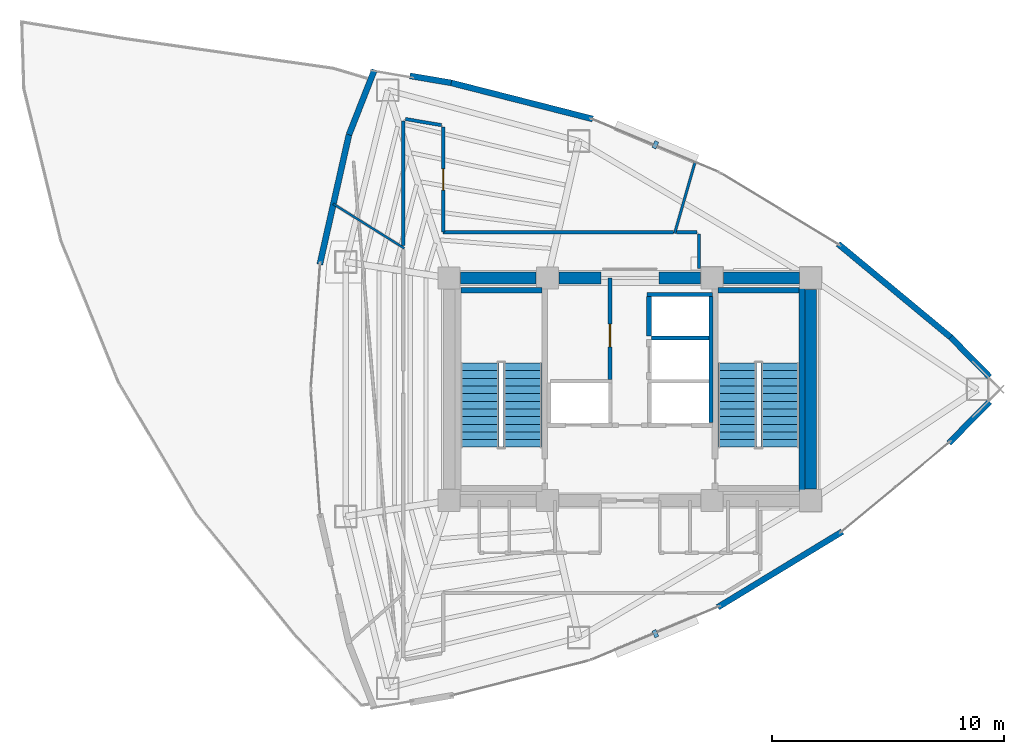
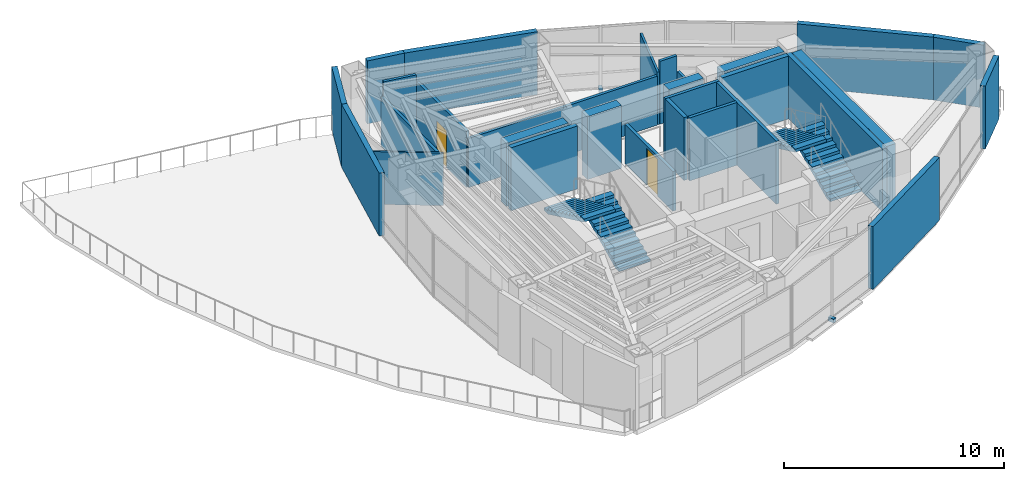
# One storey, part 14 of 17: 29 walls, 4 stair flights, 2 discrete accessories, 2 doors, 2 openings, 2 elements without a shape of their own.
"""IFC4 building model written with IfcOpenShell, lengths in metres."""

from ifc_helpers import new_model, si_unit, direction, frame, frame_2d, origin, origin_2d, place, context, subcontext, project, spatial, polyline, rectangle, outline, extrude, material, layer, layer_set, type_object, element, fill, aggregate, save


model = new_model("IFC4")

# Units and contexts
model_context = context("Model", 3, precision=1e-05, world=origin(), true_north=direction((0.0, 1.0)))
body_context = subcontext(model_context, "Body", "Model", "MODEL_VIEW")
ifc_project = project(units=[si_unit("LENGTHUNIT", "METRE"), si_unit("AREAUNIT", "SQUARE_METRE"), si_unit("VOLUMEUNIT", "CUBIC_METRE"), si_unit("PLANEANGLEUNIT", "RADIAN"), si_unit("MASSUNIT", "GRAM", prefix="KILO")], contexts=[model_context])

# Site, building, storey
site_placement = place(None, origin())
site = spatial("IfcSite", under=ifc_project, at=site_placement, CompositionType="ELEMENT")
building_placement = place(site_placement, origin())
building = spatial("IfcBuilding", under=site, at=building_placement, Name="Menara Vayukalpa", CompositionType="ELEMENT")
storey_placement = place(building_placement, frame((0.0, 0.0, 206.39990234375)))
storey = spatial("IfcBuildingStorey", under=building, at=storey_placement, Name="L52", CompositionType="ELEMENT", Elevation=206.39990234375)

# Walls
ifc_material_1 = material(Name="Concrete C60/75", Category="concrete")
ifc_layer_1 = layer(ifc_material_1, 0.5)
ifc_layer_set_1 = layer_set([ifc_layer_1], Name="Concrete C60/75")
wall_type_1 = type_object("IfcWallType", Name="WAL-CW500", PredefinedType="SHEAR", material=ifc_layer_set_1)
wall_1_placement = place(storey_placement, frame((18.294921875, 26.800048828125, 0.0), z_axis=(0.0, 0.0, 1.0), x_axis=(1.0, 0.0, 0.0)))
element("IfcWall", 1, at=wall_1_placement, inside=storey, type_object=wall_type_1, Name="L52 Buttressed Core Shear Wall CWN1", PredefinedType="SHEAR", context=body_context, shape_type="SweptSolid", body=[
    extrude(rectangle(XDim=3.260009765625, YDim=0.5, at=frame_2d((1.6298828125, 0.0))), origin(), (0.0, 0.0, 1.0), 3.5),
])
wall_2_placement = place(storey_placement, frame((22.544921875, 26.800048828125, 0.0), z_axis=(0.0, 0.0, 1.0), x_axis=(1.0, 0.0, 0.0)))
element("IfcWall", 2, at=wall_2_placement, inside=storey, type_object=wall_type_1, Name="L52 Buttressed Core Shear Wall CWN2", PredefinedType="SHEAR", context=body_context, shape_type="SweptSolid", body=[
    extrude(rectangle(XDim=1.80517578125, YDim=0.5, at=frame_2d((0.902587890625, 0.0))), origin(), (0.0, 0.0, 1.0), 3.5),
])
wall_3_placement = place(storey_placement, frame((26.85009765625, 26.800048828125, 0.0), z_axis=(0.0, 0.0, 1.0), x_axis=(1.0, 0.0, 0.0)))
element("IfcWall", 3, at=wall_3_placement, inside=storey, type_object=wall_type_1, Name="L52 Buttressed Core Shear Wall CWN3", PredefinedType="SHEAR", context=body_context, shape_type="SweptSolid", body=[
    extrude(rectangle(XDim=1.804931640625, YDim=0.5, at=frame_2d((0.90234375, 0.0))), origin(), (0.0, 0.0, 1.0), 3.5),
])
wall_4_placement = place(storey_placement, frame((29.64501953125, 26.800048828125, 0.0), z_axis=(0.0, 0.0, 1.0), x_axis=(1.0, 0.0, 0.0)))
element("IfcWall", 4, at=wall_4_placement, inside=storey, type_object=wall_type_1, Name="L52 Buttressed Core Shear Wall CWN4", PredefinedType="SHEAR", context=body_context, shape_type="SweptSolid", body=[
    extrude(rectangle(XDim=3.260009765625, YDim=0.5, at=frame_2d((1.6298828125, 0.0))), origin(), (0.0, 0.0, 1.0), 3.5),
])
wall_5_placement = place(storey_placement, frame((33.39990234375, 17.695068359375, 0.0), z_axis=(0.0, 0.0, 1.0), x_axis=(0.0, 1.0, 0.0)))
element("IfcWall", 5, at=wall_5_placement, inside=storey, type_object=wall_type_1, Name="L52 Buttressed Core Shear Wall CWE1", PredefinedType="SHEAR", context=body_context, shape_type="SweptSolid", body=[
    extrude(rectangle(XDim=8.60986328125, YDim=0.5, at=frame_2d((4.304931640625, 0.0))), origin(), (0.0, 0.0, 1.0), 3.5),
])
ifc_material_2 = material(Name="Insulated Precast Concrete C40/50", Category="concrete")
ifc_layer_2 = layer(ifc_material_2, 0.260009765625)
ifc_layer_set_2 = layer_set([ifc_layer_2], Name="Insulated Precast Concrete C40/50")
wall_type_2 = type_object("IfcWallType", Name="WAL-EXT260", PredefinedType="PARTITIONING", material=ifc_layer_set_2)
wall_6_placement = place(storey_placement, frame((41.11669921875, 21.466552734375, 0.0), z_axis=(0.0, 0.0, 1.0), x_axis=(-0.700594592225, -0.713559540154, 0.0)))
element("IfcWall", 6, at=wall_6_placement, inside=storey, type_object=wall_type_2, Name="L52 Perimeter Terracotta Pier Wall 01", PredefinedType="PARTITIONING", context=body_context, shape_type="SweptSolid", body=[
    extrude(rectangle(XDim=2.50439453125, YDim=0.260009765625, at=frame_2d((1.252197265625, 0.0))), origin(), (0.0, 0.0, 1.0), 3.5),
])
wall_7_placement = place(storey_placement, frame((39.43505859375, 24.246337890625, 0.0), z_axis=(0.0, 0.0, 1.0), x_axis=(0.700567481584, -0.7135861572, 0.0)))
element("IfcWall", 7, at=wall_7_placement, inside=storey, type_object=wall_type_2, Name="L52 Perimeter Terracotta Pier Wall 02", PredefinedType="PARTITIONING", context=body_context, shape_type="SweptSolid", body=[
    extrude(rectangle(XDim=2.400390625, YDim=0.260009765625, at=frame_2d((1.2001953125, 0.0))), origin(), (0.0, 0.0, 1.0), 3.5),
])
wall_8_placement = place(storey_placement, frame((34.58251953125, 28.26953125, 0.0), z_axis=(0.0, 0.0, 1.0), x_axis=(0.769765373155, -0.638326930571, 0.0)))
element("IfcWall", 8, at=wall_8_placement, inside=storey, type_object=wall_type_2, Name="L52 Perimeter Terracotta Pier Wall 03", PredefinedType="PARTITIONING", context=body_context, shape_type="SweptSolid", body=[
    extrude(rectangle(XDim=6.3154296875, YDim=0.260009765625, at=frame_2d((3.15771484375, 0.0))), origin(), (0.0, 0.0, 1.0), 3.5),
])
wall_9_placement = place(storey_placement, frame((17.8759765625, 35.22216796875, 0.0), z_axis=(0.0, 0.0, 1.0), x_axis=(0.968976240439, -0.247153890246, 0.0)))
element("IfcWall", 9, at=wall_9_placement, inside=storey, type_object=wall_type_2, Name="L52 Perimeter Terracotta Pier Wall 06", PredefinedType="PARTITIONING", context=body_context, shape_type="SweptSolid", body=[
    extrude(rectangle(XDim=6.31494140625, YDim=0.260009765625, at=frame_2d((3.157470703125, 0.0))), origin(), (0.0, 0.0, 1.0), 3.5),
])
wall_10_placement = place(storey_placement, frame((16.10693359375, 35.52197265625, 0.0), z_axis=(0.0, 0.0, 1.0), x_axis=(0.985877723898, -0.167466753484, 0.0)))
element("IfcWall", 10, at=wall_10_placement, inside=storey, type_object=wall_type_2, Name="L52 Perimeter Terracotta Pier Wall 07", PredefinedType="PARTITIONING", context=body_context, shape_type="SweptSolid", body=[
    extrude(rectangle(XDim=1.80615234375, YDim=0.260009765625, at=frame_2d((0.903076171875, 0.0))), origin(), (0.0, 0.0, 1.0), 3.5),
])
wall_11_placement = place(storey_placement, frame((13.47900390625, 32.978515625, 0.0), z_axis=(0.0, 0.0, 1.0), x_axis=(0.365609724313, 0.930768246927, 0.0)))
element("IfcWall", 11, at=wall_11_placement, inside=storey, type_object=wall_type_2, Name="L52 Perimeter Terracotta Pier Wall 08", PredefinedType="PARTITIONING", context=body_context, shape_type="SweptSolid", body=[
    extrude(rectangle(XDim=3.010986328125, YDim=0.260009765625, at=frame_2d((1.50537109375, 0.0))), origin(), (0.0, 0.0, 1.0), 3.5),
])
wall_12_placement = place(storey_placement, frame((12.219970703125, 27.3818359375, 0.0), z_axis=(0.0, 0.0, 1.0), x_axis=(0.219475737697, 0.975617958303, 0.0)))
element("IfcWall", 12, at=wall_12_placement, inside=storey, type_object=wall_type_2, Name="L52 Perimeter Terracotta Pier Wall 09", PredefinedType="PARTITIONING", context=body_context, shape_type="SweptSolid", body=[
    extrude(rectangle(XDim=5.736572265625, YDim=0.260009765625, at=frame_2d((2.8681640625, 0.0))), origin(), (0.0, 0.0, 1.0), 3.5),
])
wall_13_placement = place(storey_placement, frame((34.76123046875, 15.85791015625, 0.0), z_axis=(0.0, 0.0, 1.0), x_axis=(-0.854645314226, -0.519212275348, 0.0)))
element("IfcWall", 13, at=wall_13_placement, inside=storey, type_object=wall_type_2, Name="L52 Perimeter Terracotta Pier Wall 18", PredefinedType="PARTITIONING", context=body_context, shape_type="SweptSolid", body=[
    extrude(rectangle(XDim=6.284912109375, YDim=0.260009765625, at=frame_2d((3.142578125, 0.0))), origin(), (0.0, 0.0, 1.0), 3.5),
])
ifc_material_3 = material(Name="Lightweight Concrete Blockwork C16/20", Category="masonry")
ifc_layer_3 = layer(ifc_material_3, 0.159912109375)
ifc_layer_set_3 = layer_set([ifc_layer_3], Name="Lightweight Concrete Blockwork C16/20")
wall_type_3 = type_object("IfcWallType", Name="WAL-FR150", PredefinedType="PARTITIONING", material=ifc_layer_set_3)
wall_14_placement = place(storey_placement, frame((29.094970703125, 20.56005859375, 0.0), z_axis=(0.0, 0.0, 1.0), x_axis=(0.0, 1.0, 0.0)))
element("IfcWall", 14, at=wall_14_placement, inside=storey, type_object=wall_type_3, Name="L52 Interior Partition IW-L52-SHW-EE", PredefinedType="PARTITIONING", context=body_context, shape_type="SweptSolid", body=[
    extrude(rectangle(XDim=5.449951171875, YDim=0.159912109375, at=frame_2d((2.72509765625, 0.0))), origin(), (0.0, 0.0, 1.0), 3.5),
])
wall_15_placement = place(storey_placement, frame((26.530029296875, 24.215087890625, 0.0), z_axis=(0.0, 0.0, 1.0), x_axis=(1.0, 0.0, 0.0)))
element("IfcWall", 15, at=wall_15_placement, inside=storey, type_object=wall_type_3, Name="L52 Interior Partition IW-L52-SHM-E32", PredefinedType="PARTITIONING", context=body_context, shape_type="SweptSolid", body=[
    extrude(rectangle(XDim=2.489990234375, YDim=0.159912109375, at=frame_2d((1.2451171875, 0.0))), origin(), (0.0, 0.0, 1.0), 3.5),
])
wall_16_placement = place(storey_placement, frame((26.340087890625, 26.0849609375, 0.0), z_axis=(0.0, 0.0, 1.0), x_axis=(1.0, 0.0, 0.0)))
element("IfcWall", 16, at=wall_16_placement, inside=storey, type_object=wall_type_3, Name="L52 Interior Partition IW-L52-SHM-E2N", PredefinedType="PARTITIONING", context=body_context, shape_type="SweptSolid", body=[
    extrude(rectangle(XDim=2.829833984375, YDim=0.159912109375, at=frame_2d((1.4150390625, 0.0))), origin(), (0.0, 0.0, 1.0), 3.5),
])

# Wall, opening, door
wall_17_placement = place(storey_placement, frame((24.739990234375, 22.429931640625, 0.0), z_axis=(0.0, 0.0, 1.0), x_axis=(0.0, 1.0, 0.0)))
wall_17 = element("IfcWall", 17, at=wall_17_placement, inside=storey, type_object=wall_type_3, Name="L52 Interior Partition IW-L52-LV7W", PredefinedType="PARTITIONING", context=body_context, shape_type="SweptSolid", body=[
    extrude(rectangle(XDim=4.3701171875, YDim=0.159912109375, at=frame_2d((2.18505859375, 0.0))), origin(), (0.0, 0.0, 1.0), 2.210205078125),
])
opening_1_placement = place(wall_17_placement, frame((1.39990234375, 0.0, 0.0)))
opening_1 = element("IfcOpeningElement", 18, at=opening_1_placement, cuts=wall_17, Name="Opening ID3", PredefinedType="OPENING", context=body_context, shape_type="SweptSolid", body=[
    extrude(rectangle(XDim=0.97998046875, YDim=2.06005859375, at=frame_2d((0.489990234375, 1.030029296875))), frame((0.0, 0.08984375, 0.0), z_axis=(0.0, -1.0, 0.0), x_axis=(1.0, 0.0, 0.0)), (0.0, 0.0, 1.0), 0.179931640625),
])
ifc_material_4 = material(Name="Fire-Rated Powder-Coated Steel Door", Category="steel")
door_type_1 = type_object("IfcDoorType", Name="DR-FD60", OperationType="NOTDEFINED", PredefinedType="DOOR", material=ifc_material_4)
door_1_placement = place(opening_1_placement, origin())
door_1 = element("IfcDoor", 19, at=door_1_placement, inside=storey, type_object=door_type_1, Name="L52 Interior Door DR-L52-LV7W", OperationType="SINGLE_SWING_LEFT", OverallHeight=2.06005859375, OverallWidth=0.97998046875, PredefinedType="DOOR", context=body_context, shape_type="SweptSolid", body=[
    extrude(rectangle(XDim=0.97998046875, YDim=2.06005859375, at=frame_2d((0.489990234375, 1.030029296875))), frame((0.0, 0.02490234375, 0.0), z_axis=(0.0, -1.0, 0.0), x_axis=(1.0, 0.0, 0.0)), (0.0, 0.0, 1.0), 0.050048828125),
])
fill(opening_1, door_1)

# Walls
ifc_material_5 = material(Name="Lightweight Concrete Blockwork C16/20", Category="masonry")
ifc_layer_4 = layer(ifc_material_5, 0.199951171875)
ifc_layer_set_4 = layer_set([ifc_layer_4], Name="Lightweight Concrete Blockwork C16/20")
wall_type_4 = type_object("IfcWallType", Name="WAL-FR200", PredefinedType="PARTITIONING", material=ifc_layer_set_4)
wall_18_placement = place(storey_placement, frame((26.419921875, 24.2900390625, 0.0), z_axis=(0.0, 0.0, 1.0), x_axis=(0.0, 1.0, 0.0)))
element("IfcWall", 20, at=wall_18_placement, inside=storey, type_object=wall_type_4, Name="L52 Interior Partition IW-L52-SH-E2", PredefinedType="PARTITIONING", context=body_context, shape_type="SweptSolid", body=[
    extrude(rectangle(XDim=1.719970703125, YDim=0.199951171875, at=frame_2d((0.85986328125, 0.0))), origin(), (0.0, 0.0, 1.0), 3.5),
])
ifc_material_6 = material(Name="Glazed Demountable Office Partition", Category="glass")
ifc_layer_5 = layer(ifc_material_6, 0.094970703125)
ifc_layer_set_5 = layer_set([ifc_layer_5], Name="Glazed Demountable Office Partition")
wall_type_5 = type_object("IfcWallType", Name="WAL-PT100", PredefinedType="PARTITIONING", material=ifc_layer_set_5)
wall_19_placement = place(storey_placement, frame((15.8701171875, 28.080078125, 0.0), z_axis=(0.0, 0.0, 1.0), x_axis=(-0.848062676376, 0.529895930291, 0.0)))
element("IfcWall", 21, at=wall_19_placement, inside=storey, type_object=wall_type_5, Name="L52 Interior Partition IW-L52-RDIV02", PredefinedType="PARTITIONING", context=body_context, shape_type="SweptSolid", body=[
    extrude(rectangle(XDim=3.621826171875, YDim=0.094970703125, at=frame_2d((1.81103515625, 0.0))), origin(), (0.0, 0.0, 1.0), 2.93017578125),
])
ifc_material_7 = material(Name="Acoustic Mineral Stud Partition", Category="masonry")
ifc_layer_6 = layer(ifc_material_7, 0.110107421875)
ifc_layer_set_6 = layer_set([ifc_layer_6], Name="Acoustic Mineral Stud Partition")
wall_type_6 = type_object("IfcWallType", Name="WAL-PT110", PredefinedType="PARTITIONING", material=ifc_layer_set_6)
wall_20_placement = place(storey_placement, frame((27.52978515625, 28.72998046875, 0.0), z_axis=(0.0, 0.0, 1.0), x_axis=(0.275627571295, 0.961264501551, 0.0)))
element("IfcWall", 22, at=wall_20_placement, inside=storey, type_object=wall_type_6, Name="L52 Interior Partition IW-L52-RDIV01", PredefinedType="PARTITIONING", context=body_context, shape_type="SweptSolid", body=[
    extrude(rectangle(XDim=3.201171875, YDim=0.110107421875, at=frame_2d((1.6005859375, 0.0))), origin(), (0.0, 0.0, 1.0), 2.93017578125),
])
ifc_material_8 = material(Name="Gypsum Drywall Acoustic Stud Assembly", Category="masonry")
ifc_layer_7 = layer(ifc_material_8, 0.14501953125)
ifc_layer_set_7 = layer_set([ifc_layer_7], Name="Gypsum Drywall Acoustic Stud Assembly")
wall_type_7 = type_object("IfcWallType", Name="WAL-PT150", PredefinedType="PARTITIONING", material=ifc_layer_set_7)
wall_21_placement = place(storey_placement, frame((28.580078125, 27.219970703125, 0.0), z_axis=(0.0, 0.0, 1.0), x_axis=(0.0, 1.0, 0.0)))
element("IfcWall", 23, at=wall_21_placement, inside=storey, type_object=wall_type_7, Name="L52 Interior Partition IW-L52-CRM03-8", PredefinedType="PARTITIONING", context=body_context, shape_type="SweptSolid", body=[
    extrude(rectangle(XDim=1.47998046875, YDim=0.14501953125, at=frame_2d((0.739990234375, 0.0))), origin(), (0.0, 0.0, 1.0), 2.630126953125),
])
wall_22_placement = place(storey_placement, frame((28.5, 28.780029296875, 0.0), z_axis=(0.0, 0.0, 1.0), x_axis=(-1.0, 0.0, 0.0)))
element("IfcWall", 24, at=wall_22_placement, inside=storey, type_object=wall_type_7, Name="L52 Interior Partition IW-L52-CRM03-9", PredefinedType="PARTITIONING", context=body_context, shape_type="SweptSolid", body=[
    extrude(rectangle(XDim=0.883056640625, YDim=0.14501953125, at=frame_2d((0.44140625, 0.0))), origin(), (0.0, 0.0, 1.0), 3.5),
])
wall_23_placement = place(storey_placement, frame((27.47119140625, 28.780029296875, 0.0), z_axis=(0.0, 0.0, 1.0), x_axis=(-1.0, 0.0, 0.0)))
element("IfcWall", 25, at=wall_23_placement, inside=storey, type_object=wall_type_7, Name="L52 Interior Partition IW-L52-CRM04-1", PredefinedType="PARTITIONING", context=body_context, shape_type="SweptSolid", body=[
    extrude(rectangle(XDim=9.93115234375, YDim=0.14501953125, at=frame_2d((4.965576171875, 0.0))), origin(), (0.0, 0.0, 1.0), 2.72998046875),
])

# Wall, opening, door
wall_24_placement = place(storey_placement, frame((17.5400390625, 28.780029296875, 0.0), z_axis=(0.0, 0.0, 1.0), x_axis=(0.0, 1.0, 0.0)))
wall_24 = element("IfcWall", 26, at=wall_24_placement, inside=storey, type_object=wall_type_7, Name="L52 Interior Partition IW-L52-CRM04-2", PredefinedType="PARTITIONING", context=body_context, shape_type="SweptSolid", body=[
    extrude(rectangle(XDim=4.5341796875, YDim=0.14501953125, at=frame_2d((2.26708984375, 0.0))), origin(), (0.0, 0.0, 1.0), 3.130126953125),
])
opening_2_placement = place(wall_24_placement, frame((1.80712890625, 0.0, 0.0)))
opening_2 = element("IfcOpeningElement", 27, at=opening_2_placement, cuts=wall_24, Name="Opening ID6", PredefinedType="OPENING", context=body_context, shape_type="SweptSolid", body=[
    extrude(rectangle(XDim=0.919921875, YDim=2.050048828125, at=frame_2d((0.4599609375, 1.02490234375))), frame((0.0, 0.08251953125, 0.0), z_axis=(0.0, -1.0, 0.0), x_axis=(1.0, 0.0, 0.0)), (0.0, 0.0, 1.0), 0.1650390625),
])
ifc_material_9 = material(Name="Acoustic Hardwood Veneer Timber Door", Category="wood")
door_type_2 = type_object("IfcDoorType", Name="DR-INT92", OperationType="NOTDEFINED", PredefinedType="DOOR", material=ifc_material_9)
door_2_placement = place(opening_2_placement, origin())
door_2 = element("IfcDoor", 28, at=door_2_placement, inside=storey, type_object=door_type_2, Name="L52 Interior Door DR-L52-RM04", OperationType="SINGLE_SWING_LEFT", OverallHeight=2.050048828125, OverallWidth=0.919921875, PredefinedType="DOOR", context=body_context, shape_type="SweptSolid", body=[
    extrude(rectangle(XDim=0.919921875, YDim=2.050048828125, at=frame_2d((0.4599609375, 1.02490234375))), frame((0.0, 0.02490234375, 0.0), z_axis=(0.0, -1.0, 0.0), x_axis=(1.0, 0.0, 0.0)), (0.0, 0.0, 1.0), 0.050048828125),
])
fill(opening_2, door_2)

# Walls
wall_25_placement = place(storey_placement, frame((17.473388671875, 33.393310546875, 0.0), z_axis=(0.0, 0.0, 1.0), x_axis=(-0.985914419316, 0.167250583809, 0.0)))
element("IfcWall", 29, at=wall_25_placement, inside=storey, type_object=wall_type_7, Name="L52 Interior Partition IW-L52-CRM04-3", PredefinedType="PARTITIONING", context=body_context, shape_type="SweptSolid", body=[
    extrude(rectangle(XDim=1.582275390625, YDim=0.14501953125, at=frame_2d((0.791015625, 0.0))), origin(), (0.0, 0.0, 1.0), 3.5),
])
wall_26_placement = place(storey_placement, frame((15.820068359375, 33.5791015625, 0.0), z_axis=(0.0, 0.0, 1.0), x_axis=(0.0, -1.0, 0.0)))
element("IfcWall", 30, at=wall_26_placement, inside=storey, type_object=wall_type_7, Name="L52 Interior Partition IW-L52-CRM04-4", PredefinedType="PARTITIONING", context=body_context, shape_type="SweptSolid", body=[
    extrude(rectangle(XDim=5.38525390625, YDim=0.14501953125, at=frame_2d((2.692626953125, 0.0))), origin(), (0.0, 0.0, 1.0), 2.72998046875),
])
ifc_material_10 = material(Name="Concrete C50/60", Category="concrete")
ifc_layer_8 = layer(ifc_material_10, 0.25)
ifc_layer_set_8 = layer_set([ifc_layer_8], Name="Concrete C50/60")
wall_type_8 = type_object("IfcWallType", Name="WAL-SW250", PredefinedType="SHEAR", material=ifc_layer_set_8)
wall_27_placement = place(storey_placement, frame((18.303955078125, 26.27490234375, 0.0), z_axis=(0.0, 0.0, 1.0), x_axis=(1.0, 0.0, 0.0)))
element("IfcWall", 31, at=wall_27_placement, inside=storey, type_object=wall_type_8, Name="L52 ST1 Structural Stair Shaft Wall N", PredefinedType="SHEAR", context=body_context, shape_type="SweptSolid", body=[
    extrude(rectangle(XDim=3.49609375, YDim=0.25, at=frame_2d((1.748046875, 0.0))), origin(), (0.0, 0.0, 1.0), 3.5),
])
wall_28_placement = place(storey_placement, frame((33.02099609375, 17.60009765625, 0.0), z_axis=(0.0, 0.0, 1.0), x_axis=(0.0, 1.0, 0.0)))
element("IfcWall", 32, at=wall_28_placement, inside=storey, type_object=wall_type_8, Name="L52 ST2 Structural Stair Shaft Wall E", PredefinedType="SHEAR", context=body_context, shape_type="SweptSolid", body=[
    extrude(rectangle(XDim=8.7998046875, YDim=0.25, at=frame_2d((4.39990234375, 0.0))), origin(), (0.0, 0.0, 1.0), 3.5),
])
wall_29_placement = place(storey_placement, frame((29.39990234375, 26.27490234375, 0.0), z_axis=(0.0, 0.0, 1.0), x_axis=(1.0, 0.0, 0.0)))
element("IfcWall", 33, at=wall_29_placement, inside=storey, type_object=wall_type_8, Name="L52 ST2 Structural Stair Shaft Wall N", PredefinedType="SHEAR", context=body_context, shape_type="SweptSolid", body=[
    extrude(rectangle(XDim=3.49609375, YDim=0.25, at=frame_2d((1.748046875, 0.0))), origin(), (0.0, 0.0, 1.0), 3.5),
])

# Stair, stair flights
ifc_material_11 = material(Name="Precast Concrete C40/50", Category="concrete")
stair_type = type_object("IfcStairType", Name="STR-T04", PredefinedType="DOUBLE_RETURN_STAIR", material=ifc_material_11)
stair_1_placement = place(storey_placement, origin())
stair_1 = element("IfcStair", 34, at=stair_1_placement, inside=storey, type_object=stair_type, Name="L52 Core Exit Stair ST-1", PredefinedType="DOUBLE_RETURN_STAIR")
ifc_material_12 = material(Name="Precast Concrete C40/50", Category="concrete")
stair_flight_type = type_object("IfcStairFlightType", Name="STF-T04", PredefinedType="STRAIGHT", material=ifc_material_12)
stair_flight_1_placement = place(storey_placement, frame((20.97509765625, 19.5, 0.0), z_axis=(0.0, 0.0, 1.0), x_axis=(0.0, 1.0, 0.0)))
stair_flight_1 = element("IfcStairFlight", 35, at=stair_flight_1_placement, type_object=stair_flight_type, Name="ST-1 flight 1", NumberOfRisers=12, NumberOfTreads=11, PredefinedType="STRAIGHT", RiserHeight=0.155, TreadLength=0.33, context=body_context, shape_type="SweptSolid", body=[
    extrude(outline(polyline([(0.0, 0.0), (0.0, 0.155029296875), (0.330078125, 0.155029296875), (0.330078125, 0.31005859375), (0.659912109375, 0.31005859375), (0.659912109375, 0.465087890625), (0.989990234375, 0.465087890625), (0.989990234375, 0.6201171875), (1.320068359375, 0.6201171875), (1.320068359375, 0.77490234375), (1.64990234375, 0.77490234375), (1.64990234375, 0.929931640625), (1.97998046875, 0.929931640625), (1.97998046875, 1.0849609375), (2.31005859375, 1.0849609375), (2.31005859375, 1.239990234375), (2.639892578125, 1.239990234375), (2.639892578125, 1.39501953125), (2.969970703125, 1.39501953125), (2.969970703125, 1.550048828125), (3.300048828125, 1.550048828125), (3.300048828125, 1.705078125), (3.6298828125, 1.705078125), (3.6298828125, 1.860107421875), (3.6298828125, 1.539306640625), (0.3525390625, 0.0), (0.0, 0.0)])), frame((0.0, 0.824951171875, 0.0), z_axis=(0.0, -1.0, 0.0), x_axis=(1.0, 0.0, 0.0)), (0.0, 0.0, 1.0), 1.64990234375),
])
stair_flight_2_placement = place(storey_placement, frame((19.125, 23.1298828125, 1.860107421875), z_axis=(0.0, 0.0, 1.0), x_axis=(0.0, -1.0, 0.0)))
stair_flight_2 = element("IfcStairFlight", 36, at=stair_flight_2_placement, type_object=stair_flight_type, Name="ST-1 flight 2", NumberOfRisers=12, NumberOfTreads=11, PredefinedType="STRAIGHT", RiserHeight=0.155, TreadLength=0.33, context=body_context, shape_type="SweptSolid", body=[
    extrude(outline(polyline([(0.0, 0.0), (0.0, 0.155029296875), (0.330078125, 0.155029296875), (0.330078125, 0.31005859375), (0.659912109375, 0.31005859375), (0.659912109375, 0.465087890625), (0.989990234375, 0.465087890625), (0.989990234375, 0.6201171875), (1.320068359375, 0.6201171875), (1.320068359375, 0.77490234375), (1.64990234375, 0.77490234375), (1.64990234375, 0.929931640625), (1.97998046875, 0.929931640625), (1.97998046875, 1.0849609375), (2.31005859375, 1.0849609375), (2.31005859375, 1.239990234375), (2.639892578125, 1.239990234375), (2.639892578125, 1.39501953125), (2.969970703125, 1.39501953125), (2.969970703125, 1.550048828125), (3.300048828125, 1.550048828125), (3.300048828125, 1.705078125), (3.6298828125, 1.705078125), (3.6298828125, 1.860107421875), (3.6298828125, 1.539306640625), (0.3525390625, 0.0), (0.0, 0.0)])), frame((0.0, 0.824951171875, 0.0), z_axis=(0.0, -1.0, 0.0), x_axis=(1.0, 0.0, 0.0)), (0.0, 0.0, 1.0), 1.64990234375),
])
aggregate(stair_1, [stair_flight_1, stair_flight_2])

stair_2_placement = place(storey_placement, origin())
stair_2 = element("IfcStair", 37, at=stair_2_placement, inside=storey, type_object=stair_type, Name="L52 Core Exit Stair ST-2", PredefinedType="DOUBLE_RETURN_STAIR")
stair_flight_3_placement = place(storey_placement, frame((32.074951171875, 19.5, 0.0), z_axis=(0.0, 0.0, 1.0), x_axis=(0.0, 1.0, 0.0)))
stair_flight_3 = element("IfcStairFlight", 38, at=stair_flight_3_placement, type_object=stair_flight_type, Name="ST-2 flight 1", NumberOfRisers=12, NumberOfTreads=11, PredefinedType="STRAIGHT", RiserHeight=0.155, TreadLength=0.33, context=body_context, shape_type="SweptSolid", body=[
    extrude(outline(polyline([(0.0, 0.0), (0.0, 0.155029296875), (0.330078125, 0.155029296875), (0.330078125, 0.31005859375), (0.659912109375, 0.31005859375), (0.659912109375, 0.465087890625), (0.989990234375, 0.465087890625), (0.989990234375, 0.6201171875), (1.320068359375, 0.6201171875), (1.320068359375, 0.77490234375), (1.64990234375, 0.77490234375), (1.64990234375, 0.929931640625), (1.97998046875, 0.929931640625), (1.97998046875, 1.0849609375), (2.31005859375, 1.0849609375), (2.31005859375, 1.239990234375), (2.639892578125, 1.239990234375), (2.639892578125, 1.39501953125), (2.969970703125, 1.39501953125), (2.969970703125, 1.550048828125), (3.300048828125, 1.550048828125), (3.300048828125, 1.705078125), (3.6298828125, 1.705078125), (3.6298828125, 1.860107421875), (3.6298828125, 1.539306640625), (0.3525390625, 0.0), (0.0, 0.0)])), frame((0.0, 0.824951171875, 0.0), z_axis=(0.0, -1.0, 0.0), x_axis=(1.0, 0.0, 0.0)), (0.0, 0.0, 1.0), 1.64990234375),
])
stair_flight_4_placement = place(storey_placement, frame((30.22509765625, 23.1298828125, 1.860107421875), z_axis=(0.0, 0.0, 1.0), x_axis=(0.0, -1.0, 0.0)))
stair_flight_4 = element("IfcStairFlight", 39, at=stair_flight_4_placement, type_object=stair_flight_type, Name="ST-2 flight 2", NumberOfRisers=12, NumberOfTreads=11, PredefinedType="STRAIGHT", RiserHeight=0.155, TreadLength=0.33, context=body_context, shape_type="SweptSolid", body=[
    extrude(outline(polyline([(0.0, 0.0), (0.0, 0.155029296875), (0.330078125, 0.155029296875), (0.330078125, 0.31005859375), (0.659912109375, 0.31005859375), (0.659912109375, 0.465087890625), (0.989990234375, 0.465087890625), (0.989990234375, 0.6201171875), (1.320068359375, 0.6201171875), (1.320068359375, 0.77490234375), (1.64990234375, 0.77490234375), (1.64990234375, 0.929931640625), (1.97998046875, 0.929931640625), (1.97998046875, 1.0849609375), (2.31005859375, 1.0849609375), (2.31005859375, 1.239990234375), (2.639892578125, 1.239990234375), (2.639892578125, 1.39501953125), (2.969970703125, 1.39501953125), (2.969970703125, 1.550048828125), (3.300048828125, 1.550048828125), (3.300048828125, 1.705078125), (3.6298828125, 1.705078125), (3.6298828125, 1.860107421875), (3.6298828125, 1.539306640625), (0.3525390625, 0.0), (0.0, 0.0)])), frame((0.0, 0.824951171875, 0.0), z_axis=(0.0, -1.0, 0.0), x_axis=(1.0, 0.0, 0.0)), (0.0, 0.0, 1.0), 1.64990234375),
])
aggregate(stair_2, [stair_flight_3, stair_flight_4])

# Discrete accessories
ifc_material_13 = material(Name="Stainless Steel 316 Sunshade Bracket", Category="steel")
discrete_accessory_type = type_object("IfcDiscreteAccessoryType", Name="ACC-BRK1", PredefinedType="BRACKET", material=ifc_material_13)
for number, where, z_axis, x_axis, name in (
    (40, (26.69775390625, 32.5458984375, -0.15966796875), (0.0, 0.0, 1.0), (-0.922538089456, 0.385906042324, 0.0), "L52 Terracotta Sunshade Bracket 05"),
    (41, (26.69775390625, 11.4541015625, -0.15966796875), (0.0, 0.0, 1.0), (0.922538089456, 0.385906042324, 0.0), "L52 Terracotta Sunshade Bracket 17"),
):
    element("IfcDiscreteAccessory", number, at=place(storey_placement, frame(where, z_axis=z_axis, x_axis=x_axis)), inside=storey, type_object=discrete_accessory_type, Name=name, PredefinedType="BRACKET", context=body_context, shape_type="SweptSolid", body=[
        extrude(rectangle(XDim=0.179931640625, YDim=0.320068359375, at=origin_2d()), origin(), (0.0, 0.0, 1.0), 0.219970703125),
    ])

save(model, "model.ifc")
